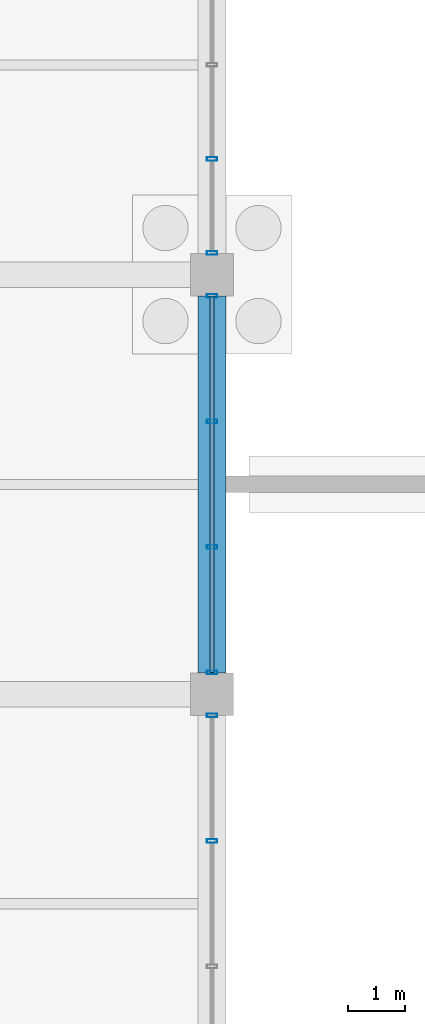
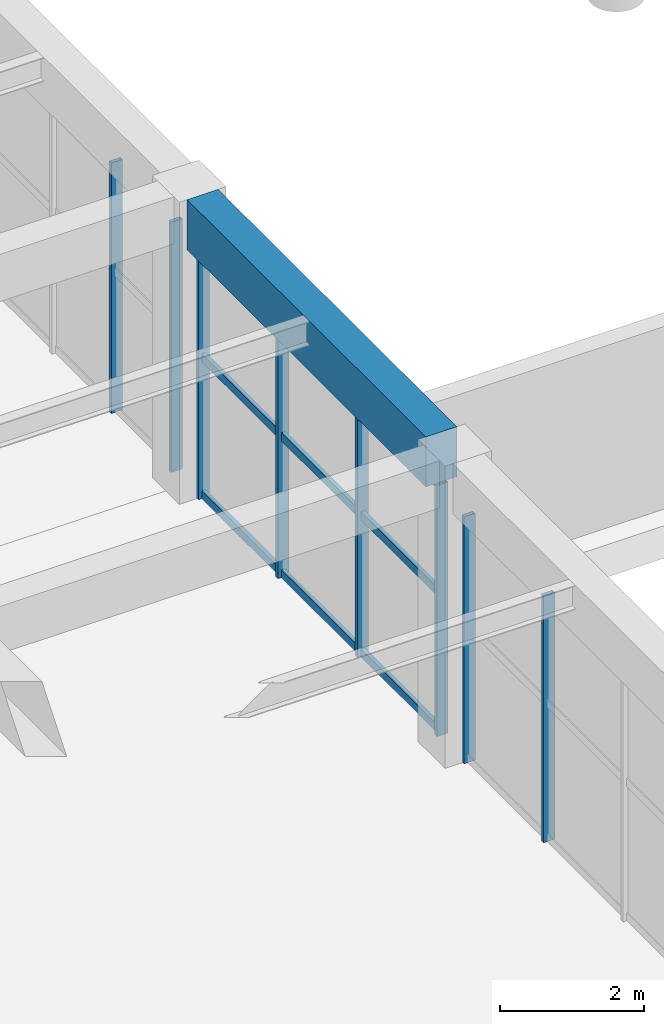
# One storey, part 63 of 140: 11 members, 1 beam, 3 elements without a shape of their own.
"""IFC4 building model written with IfcOpenShell, lengths in metres."""

from ifc_helpers import new_model, si_unit, direction, frame, origin, origin_2d, place, context, subcontext, project, spatial, rectangle, hollow_rectangle, extrude, material, material_profile, profile_set, type_object, element, aggregate, save


model = new_model("IFC4")

# Units and contexts
model_context = context("Model", 3, precision=1e-05, world=origin(), true_north=direction((0.0, 1.0)))
body_context = subcontext(model_context, "Body", "Model", "MODEL_VIEW")
ifc_project = project(units=[si_unit("LENGTHUNIT", "METRE"), si_unit("AREAUNIT", "SQUARE_METRE"), si_unit("VOLUMEUNIT", "CUBIC_METRE"), si_unit("PLANEANGLEUNIT", "RADIAN"), si_unit("MASSUNIT", "GRAM", prefix="KILO")], contexts=[model_context])

# Site, building, storey
site_placement = place(None, origin())
site = spatial("IfcSite", under=ifc_project, at=site_placement, CompositionType="ELEMENT")
building_placement = place(site_placement, origin())
building = spatial("IfcBuilding", under=site, at=building_placement, Name="Cimatlan Art Gallery", CompositionType="ELEMENT")
storey_placement = place(building_placement, origin())
storey = spatial("IfcBuildingStorey", under=building, at=storey_placement, Name="L00", CompositionType="ELEMENT", Elevation=0.0)

# Beam
ifc_material_1 = material(Name="Concrete C40/50", Category="concrete")
ifc_material_profile_1 = material_profile(ifc_material_1, rectangle(XDim=0.5, YDim=0.85009765625, at=origin_2d()), Name="RC500X850")
ifc_profile_set_1 = profile_set([ifc_material_profile_1], Name="Concrete C40/50")
beam_type = type_object("IfcBeamType", Name="BM-RC-500X850", PredefinedType="BEAM", material=ifc_profile_set_1)
beam_placement = place(storey_placement, frame((50.60009765625, 68.675048828125, 4.7099609375), z_axis=(0.0, 1.0, 0.0), x_axis=(-1.0, 0.0, 0.0)))
element("IfcBeam", 1, at=beam_placement, inside=storey, type_object=beam_type, Name="BM-Y-L00-06-09", PredefinedType="BEAM", context=body_context, shape_type="SweptSolid", body=[
    extrude(rectangle(XDim=0.5, YDim=0.85009765625, at=origin_2d()), origin(), (0.0, 0.0, 1.0), 6.64990234375),
])

# Curtain wall, members
ifc_material_2 = material(Name="Anodised bronze unitised curtain wall")
curtain_wall_type_1 = type_object("IfcCurtainWallType", Name="CW-V-06642X04195-B3", PredefinedType="NOTDEFINED", material=ifc_material_2)
curtain_wall_1_placement = place(storey_placement, origin())
curtain_wall_1 = element("IfcCurtainWall", 2, at=curtain_wall_1_placement, inside=storey, type_object=curtain_wall_type_1, Name="CW-L00-05-08-E", PredefinedType="NOTDEFINED")
ifc_material_3 = material(Name="Anodised bronze aluminium 6063-T6", Category="aluminium")
ifc_material_profile_2 = material_profile(ifc_material_3, hollow_rectangle(XDim=0.06494140625, YDim=0.179931640625, WallThickness=0.00390625, at=origin_2d()), Name="ALU65X180X4")
ifc_profile_set_2 = profile_set([ifc_material_profile_2], Name="Anodised bronze aluminium 6063-T6")
member_type_1 = type_object("IfcMemberType", Name="CW-MUL-180", PredefinedType="MULLION", material=ifc_profile_set_2)
member_1_placement = place(storey_placement, frame((50.60009765625, 67.9208984375, 0.0), z_axis=(0.0, 0.0, 1.0), x_axis=(0.0, 1.0, 0.0)))
member_1 = element("IfcMember", 3, at=member_1_placement, type_object=member_type_1, Name="CW-L00-05-08-E-M1", PredefinedType="MULLION", context=body_context, shape_type="SweptSolid", body=[
    extrude(hollow_rectangle(XDim=0.06494140625, YDim=0.179931640625, WallThickness=0.00390625, at=origin_2d()), origin(), (0.0, 0.0, 1.0), 4.195068359375),
])
member_2_placement = place(storey_placement, frame((50.60009765625, 65.70703125, 0.0), z_axis=(0.0, 0.0, 1.0), x_axis=(0.0, 1.0, 0.0)))
member_2 = element("IfcMember", 4, at=member_2_placement, type_object=member_type_1, Name="CW-L00-05-08-E-M2", PredefinedType="MULLION", context=body_context, shape_type="SweptSolid", body=[
    extrude(hollow_rectangle(XDim=0.06494140625, YDim=0.179931640625, WallThickness=0.00390625, at=origin_2d()), origin(), (0.0, 0.0, 1.0), 4.195068359375),
])
aggregate(curtain_wall_1, [member_1, member_2])

curtain_wall_type_2 = type_object("IfcCurtainWallType", Name="CW-V-06642X04270-B3", PredefinedType="NOTDEFINED", material=ifc_material_2)
curtain_wall_2_placement = place(storey_placement, origin())
curtain_wall_2 = element("IfcCurtainWall", 5, at=curtain_wall_2_placement, inside=storey, type_object=curtain_wall_type_2, Name="CW-L00-05-09-E", PredefinedType="NOTDEFINED")
member_3_placement = place(storey_placement, frame((50.60009765625, 75.321044921875, 0.0), z_axis=(0.0, 0.0, 1.0), x_axis=(0.0, 1.0, 0.0)))
member_3 = element("IfcMember", 6, at=member_3_placement, type_object=member_type_1, Name="CW-L00-05-09-E-M1", PredefinedType="MULLION", context=body_context, shape_type="SweptSolid", body=[
    extrude(hollow_rectangle(XDim=0.06494140625, YDim=0.179931640625, WallThickness=0.00390625, at=origin_2d()), origin(), (0.0, 0.0, 1.0), 4.27001953125),
])
member_4_placement = place(storey_placement, frame((50.60009765625, 73.10693359375, 0.0), z_axis=(0.0, 0.0, 1.0), x_axis=(0.0, 1.0, 0.0)))
member_4 = element("IfcMember", 7, at=member_4_placement, type_object=member_type_1, Name="CW-L00-05-09-E-M2", PredefinedType="MULLION", context=body_context, shape_type="SweptSolid", body=[
    extrude(hollow_rectangle(XDim=0.06494140625, YDim=0.179931640625, WallThickness=0.00390625, at=origin_2d()), origin(), (0.0, 0.0, 1.0), 4.27001953125),
])
member_5_placement = place(storey_placement, frame((50.60009765625, 70.89306640625, 0.0), z_axis=(0.0, 0.0, 1.0), x_axis=(0.0, 1.0, 0.0)))
member_5 = element("IfcMember", 8, at=member_5_placement, type_object=member_type_1, Name="CW-L00-05-09-E-M3", PredefinedType="MULLION", context=body_context, shape_type="SweptSolid", body=[
    extrude(hollow_rectangle(XDim=0.06494140625, YDim=0.179931640625, WallThickness=0.00390625, at=origin_2d()), origin(), (0.0, 0.0, 1.0), 4.27001953125),
])
member_6_placement = place(storey_placement, frame((50.60009765625, 68.678955078125, 0.0), z_axis=(0.0, 0.0, 1.0), x_axis=(0.0, 1.0, 0.0)))
member_6 = element("IfcMember", 9, at=member_6_placement, type_object=member_type_1, Name="CW-L00-05-09-E-M4", PredefinedType="MULLION", context=body_context, shape_type="SweptSolid", body=[
    extrude(hollow_rectangle(XDim=0.06494140625, YDim=0.179931640625, WallThickness=0.00390625, at=origin_2d()), origin(), (0.0, 0.0, 1.0), 4.27001953125),
])

curtain_wall_type_3 = type_object("IfcCurtainWallType", Name="CW-V-06642X04255-B4", PredefinedType="NOTDEFINED", material=ifc_material_2)
curtain_wall_3_placement = place(storey_placement, origin())
curtain_wall_3 = element("IfcCurtainWall", 10, at=curtain_wall_3_placement, inside=storey, type_object=curtain_wall_type_3, Name="CW-L00-05-10-E", PredefinedType="NOTDEFINED")
member_7_placement = place(storey_placement, frame((50.60009765625, 77.739501953125, 0.0), z_axis=(0.0, 0.0, 1.0), x_axis=(0.0, 1.0, 0.0)))
member_7 = element("IfcMember", 11, at=member_7_placement, type_object=member_type_1, Name="CW-L00-05-10-E-M4", PredefinedType="MULLION", context=body_context, shape_type="SweptSolid", body=[
    extrude(hollow_rectangle(XDim=0.06494140625, YDim=0.179931640625, WallThickness=0.00390625, at=origin_2d()), origin(), (0.0, 0.0, 1.0), 4.2548828125),
])
member_8_placement = place(storey_placement, frame((50.60009765625, 76.0791015625, 0.0), z_axis=(0.0, 0.0, 1.0), x_axis=(0.0, 1.0, 0.0)))
member_8 = element("IfcMember", 12, at=member_8_placement, type_object=member_type_1, Name="CW-L00-05-10-E-M5", PredefinedType="MULLION", context=body_context, shape_type="SweptSolid", body=[
    extrude(hollow_rectangle(XDim=0.06494140625, YDim=0.179931640625, WallThickness=0.00390625, at=origin_2d()), origin(), (0.0, 0.0, 1.0), 4.2548828125),
])
aggregate(curtain_wall_3, [member_7, member_8])

# Member
ifc_material_profile_3 = material_profile(ifc_material_3, hollow_rectangle(XDim=0.06494140625, YDim=0.139892578125, WallThickness=0.00390625, at=origin_2d()), Name="ALU65X140X4")
ifc_profile_set_3 = profile_set([ifc_material_profile_3], Name="Anodised bronze aluminium 6063-T6")
member_type_2 = type_object("IfcMemberType", Name="CW-TRN-140", PredefinedType="USERDEFINED", material=ifc_profile_set_3)
member_9_placement = place(storey_placement, frame((50.60009765625, 75.321044921875, 0.06005859375), z_axis=(0.0, -1.0, 0.0), x_axis=(1.0, 0.0, 0.0)))
member_9 = element("IfcMember", 13, at=member_9_placement, type_object=member_type_2, Name="CW-L00-05-09-E-T1", ObjectType="TRANSOM", PredefinedType="USERDEFINED", context=body_context, shape_type="SweptSolid", body=[
    extrude(hollow_rectangle(XDim=0.06494140625, YDim=0.139892578125, WallThickness=0.00390625, at=origin_2d()), origin(), (0.0, 0.0, 1.0), 6.64208984375),
])

member_10_placement = place(storey_placement, frame((50.60009765625, 75.321044921875, 2.39111328125), z_axis=(0.0, -1.0, 0.0), x_axis=(1.0, 0.0, 0.0)))
member_10 = element("IfcMember", 14, at=member_10_placement, type_object=member_type_2, Name="CW-L00-05-09-E-T2", ObjectType="TRANSOM", PredefinedType="USERDEFINED", context=body_context, shape_type="SweptSolid", body=[
    extrude(hollow_rectangle(XDim=0.06494140625, YDim=0.139892578125, WallThickness=0.00390625, at=origin_2d()), origin(), (0.0, 0.0, 1.0), 6.64208984375),
])

member_11_placement = place(storey_placement, frame((50.60009765625, 75.321044921875, 4.2099609375), z_axis=(0.0, -1.0, 0.0), x_axis=(1.0, 0.0, 0.0)))
member_11 = element("IfcMember", 15, at=member_11_placement, type_object=member_type_2, Name="CW-L00-05-09-E-T3", ObjectType="TRANSOM", PredefinedType="USERDEFINED", context=body_context, shape_type="SweptSolid", body=[
    extrude(hollow_rectangle(XDim=0.06494140625, YDim=0.139892578125, WallThickness=0.00390625, at=origin_2d()), origin(), (0.0, 0.0, 1.0), 6.64208984375),
])

aggregate(curtain_wall_2, [member_3, member_4, member_5, member_6, member_9, member_10, member_11])

save(model, "model.ifc")
